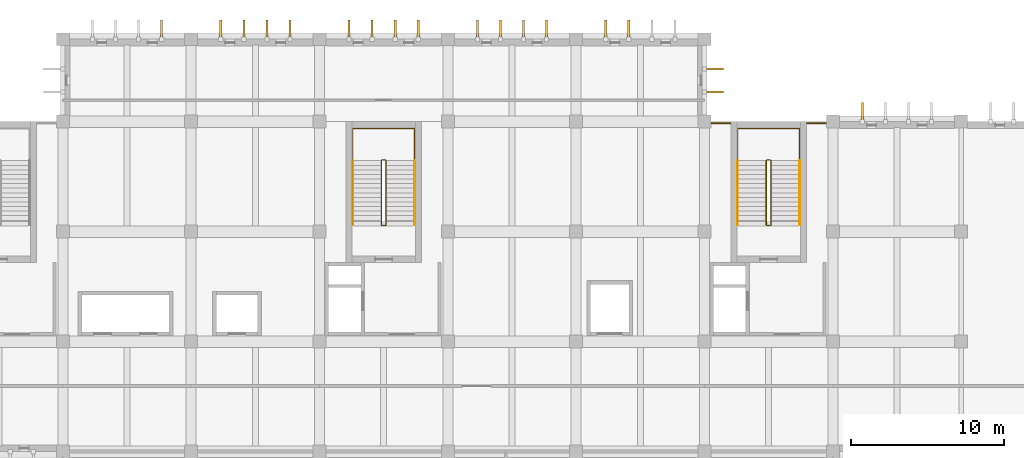
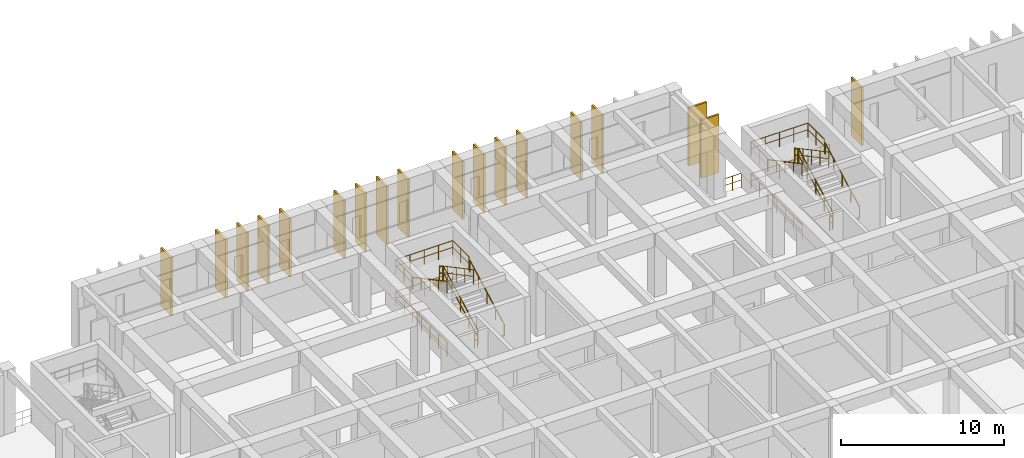
# One storey, part 50 of 51: 18 railings, 18 shading devices.
"""IFC4 building model written with IfcOpenShell, lengths in metres."""

from ifc_helpers import new_model, si_unit, direction, frame, origin, origin_2d, place, context, subcontext, project, spatial, rectangle, circle, extrude, material, type_object, element, save


model = new_model("IFC4")

# Units and contexts
model_context = context("Model", 3, precision=1e-05, world=origin(), true_north=direction((0.0, 1.0)))
body_context = subcontext(model_context, "Body", "Model", "MODEL_VIEW")
ifc_project = project(units=[si_unit("LENGTHUNIT", "METRE"), si_unit("AREAUNIT", "SQUARE_METRE"), si_unit("VOLUMEUNIT", "CUBIC_METRE"), si_unit("PLANEANGLEUNIT", "RADIAN"), si_unit("MASSUNIT", "GRAM", prefix="KILO")], contexts=[model_context])

# Site, building, storey
site_placement = place(None, origin())
site = spatial("IfcSite", under=ifc_project, at=site_placement, CompositionType="ELEMENT")
building_placement = place(site_placement, origin())
building = spatial("IfcBuilding", under=site, at=building_placement, Name="Kenerak Square Central Library", CompositionType="ELEMENT")
storey_placement = place(building_placement, frame((0.0, 0.0, 9.60009765625)))
storey = spatial("IfcBuildingStorey", under=building, at=storey_placement, Name="L02", CompositionType="ELEMENT", Elevation=9.60009765625)

# Shading devices
ifc_material_1 = material(Name="White precast concrete C40/50", Category="concrete")
shading_device_type = type_object("IfcShadingDeviceType", Name="Precast Vertical Solar Fin SF-1280 C40/50", PredefinedType="USERDEFINED", material=ifc_material_1)
for number, where, z_axis, x_axis, name in (
    (1, (73.264892578125, 116.419921875, 0.099853515625), (0.0, 0.0, 1.0), (1.0, 0.0, 0.0), "Precast Solar Fin FIN-01 L02 0115"),
    (2, (77.135009765625, 116.419921875, 0.099853515625), (0.0, 0.0, 1.0), (1.0, 0.0, 0.0), "Precast Solar Fin FIN-01 L02 0116"),
    (3, (78.64501953125, 116.419921875, 0.099853515625), (0.0, 0.0, 1.0), (1.0, 0.0, 0.0), "Precast Solar Fin FIN-01 L02 0117"),
    (4, (80.155029296875, 116.419921875, 0.099853515625), (0.0, 0.0, 1.0), (1.0, 0.0, 0.0), "Precast Solar Fin FIN-01 L02 0118"),
    (5, (81.6650390625, 116.419921875, 0.099853515625), (0.0, 0.0, 1.0), (1.0, 0.0, 0.0), "Precast Solar Fin FIN-01 L02 0119"),
    (6, (85.534912109375, 116.419921875, 0.099853515625), (0.0, 0.0, 1.0), (1.0, 0.0, 0.0), "Precast Solar Fin FIN-01 L02 0120"),
    (7, (87.044921875, 116.419921875, 0.099853515625), (0.0, 0.0, 1.0), (1.0, 0.0, 0.0), "Precast Solar Fin FIN-01 L02 0121"),
    (8, (88.554931640625, 116.419921875, 0.099853515625), (0.0, 0.0, 1.0), (1.0, 0.0, 0.0), "Precast Solar Fin FIN-01 L02 0122"),
    (9, (90.06494140625, 116.419921875, 0.099853515625), (0.0, 0.0, 1.0), (1.0, 0.0, 0.0), "Precast Solar Fin FIN-01 L02 0123"),
    (10, (93.93505859375, 116.419921875, 0.099853515625), (0.0, 0.0, 1.0), (1.0, 0.0, 0.0), "Precast Solar Fin FIN-01 L02 0124"),
    (11, (95.445068359375, 116.419921875, 0.099853515625), (0.0, 0.0, 1.0), (1.0, 0.0, 0.0), "Precast Solar Fin FIN-01 L02 0125"),
    (12, (96.955078125, 116.419921875, 0.099853515625), (0.0, 0.0, 1.0), (1.0, 0.0, 0.0), "Precast Solar Fin FIN-01 L02 0126"),
    (13, (98.465087890625, 116.419921875, 0.099853515625), (0.0, 0.0, 1.0), (1.0, 0.0, 0.0), "Precast Solar Fin FIN-01 L02 0127"),
    (14, (102.3349609375, 116.419921875, 0.099853515625), (0.0, 0.0, 1.0), (1.0, 0.0, 0.0), "Precast Solar Fin FIN-01 L02 0128"),
    (15, (103.844970703125, 116.419921875, 0.099853515625), (0.0, 0.0, 1.0), (1.0, 0.0, 0.0), "Precast Solar Fin FIN-01 L02 0129"),
    (16, (109.419921875, 113.8583984375, 0.099853515625), (0.0, 0.0, 1.0), (0.0, -1.0, 0.0), "Precast Solar Fin FIN-01 L02 0132"),
    (17, (109.419921875, 112.341796875, 0.099853515625), (0.0, 0.0, 1.0), (0.0, -1.0, 0.0), "Precast Solar Fin FIN-01 L02 0133"),
    (18, (119.135009765625, 111.02001953125, 0.099853515625), (0.0, 0.0, 1.0), (1.0, 0.0, 0.0), "Precast Solar Fin FIN-01 L02 0134"),
):
    element("IfcShadingDevice", number, at=place(storey_placement, frame(where, z_axis=z_axis, x_axis=x_axis)), inside=storey, type_object=shading_device_type, Name=name, ObjectType="FIN", PredefinedType="USERDEFINED", context=body_context, shape_type="SweptSolid", body=[
        extrude(rectangle(XDim=0.139892578125, YDim=1.280029296875, at=origin_2d()), origin(), (0.0, 0.0, 1.0), 4.35009765625),
    ])

# Railings
ifc_material_2 = material(Name="Steel S355", Category="steel")
railing_type_1 = type_object("IfcRailingType", Name="Safety Guardrail GR-1100 S355", PredefinedType="GUARDRAIL", material=ifc_material_2)
railing_1_placement = place(storey_placement, frame((87.949951171875, 103.64990234375, 0.159912109375)))
element("IfcRailing", 19, at=railing_1_placement, inside=storey, type_object=railing_type_1, Name="L02 ST-02 stair guard 1", PredefinedType="GUARDRAIL", context=body_context, shape_type="SweptSolid", body=[
    extrude(circle(Radius=0.02392578125, at=origin_2d()), frame((0.0, 0.0, 1.076171875), z_axis=(0.0, 0.882362879185, 0.470569601054), x_axis=(-1.0, 0.0, 0.0)), (0.0, 0.0, 1.0), 4.76025390625),
    extrude(circle(Radius=0.01806640625, at=origin_2d()), frame((0.0, 0.0, 0.572021484375), z_axis=(0.0, 0.882362879185, 0.470569601054), x_axis=(-1.0, 0.0, 0.0)), (0.0, 0.0, 1.0), 4.76025390625),
    extrude(circle(Radius=0.02099609375, at=origin_2d()), origin(), (0.0, 0.0, 1.0), 1.052001953125),
    extrude(circle(Radius=0.02099609375, at=origin_2d()), frame((0.0, 1.050048828125, 0.56005859375)), (0.0, 0.0, 1.0), 1.052001953125),
    extrude(circle(Radius=0.02099609375, at=origin_2d()), frame((0.0, 2.10009765625, 1.1201171875)), (0.0, 0.0, 1.0), 1.052001953125),
    extrude(circle(Radius=0.02099609375, at=origin_2d()), frame((0.0, 3.150146484375, 1.679931640625)), (0.0, 0.0, 1.0), 1.052001953125),
    extrude(circle(Radius=0.02099609375, at=origin_2d()), frame((0.0, 4.2001953125, 2.239990234375)), (0.0, 0.0, 1.0), 1.052001953125),
])
railing_2_placement = place(storey_placement, frame((87.89990234375, 107.89990234375, 2.39990234375)))
element("IfcRailing", 20, at=railing_2_placement, inside=storey, type_object=railing_type_1, Name="L02 ST-02 stair guard 2", PredefinedType="GUARDRAIL", context=body_context, shape_type="SweptSolid", body=[
    extrude(circle(Radius=0.02392578125, at=origin_2d()), frame((0.0, 0.0, 1.076171875), z_axis=(-1.0, 0.0, 0.0), x_axis=(0.0, -1.0, 0.0)), (0.0, 0.0, 1.0), 0.199951171875),
    extrude(circle(Radius=0.01806640625, at=origin_2d()), frame((0.0, 0.0, 0.572021484375), z_axis=(-1.0, 0.0, 0.0), x_axis=(0.0, -1.0, 0.0)), (0.0, 0.0, 1.0), 0.199951171875),
    extrude(circle(Radius=0.02099609375, at=origin_2d()), origin(), (0.0, 0.0, 1.0), 1.052001953125),
    extrude(circle(Radius=0.02099609375, at=origin_2d()), frame((-0.199951171875, 0.0, 0.0)), (0.0, 0.0, 1.0), 1.052001953125),
])
railing_3_placement = place(storey_placement, frame((87.64990234375, 107.85009765625, 2.559814453125)))
element("IfcRailing", 21, at=railing_3_placement, inside=storey, type_object=railing_type_1, Name="L02 ST-02 stair guard 3", PredefinedType="GUARDRAIL", context=body_context, shape_type="SweptSolid", body=[
    extrude(circle(Radius=0.02392578125, at=origin_2d()), frame((0.0, 0.0, 1.076171875), z_axis=(0.0, -0.882362879185, 0.470569601054), x_axis=(1.0, 0.0, 0.0)), (0.0, 0.0, 1.0), 4.76025390625),
    extrude(circle(Radius=0.01806640625, at=origin_2d()), frame((0.0, 0.0, 0.572021484375), z_axis=(0.0, -0.882362879185, 0.470569601054), x_axis=(1.0, 0.0, 0.0)), (0.0, 0.0, 1.0), 4.76025390625),
    extrude(circle(Radius=0.02099609375, at=origin_2d()), origin(), (0.0, 0.0, 1.0), 1.052001953125),
    extrude(circle(Radius=0.02099609375, at=origin_2d()), frame((0.0, -1.050048828125, 0.56005859375)), (0.0, 0.0, 1.0), 1.052001953125),
    extrude(circle(Radius=0.02099609375, at=origin_2d()), frame((0.0, -2.10009765625, 1.1201171875)), (0.0, 0.0, 1.0), 1.052001953125),
    extrude(circle(Radius=0.02099609375, at=origin_2d()), frame((0.0, -3.150146484375, 1.679931640625)), (0.0, 0.0, 1.0), 1.052001953125),
    extrude(circle(Radius=0.02099609375, at=origin_2d()), frame((0.0, -4.2001953125, 2.239990234375)), (0.0, 0.0, 1.0), 1.052001953125),
])
railing_4_placement = place(storey_placement, frame((87.89990234375, 103.60009765625, 0.0)))
element("IfcRailing", 22, at=railing_4_placement, inside=storey, type_object=railing_type_1, Name="L02 ST-02 stair guard 4", PredefinedType="GUARDRAIL", context=body_context, shape_type="SweptSolid", body=[
    extrude(circle(Radius=0.02392578125, at=origin_2d()), frame((0.0, 0.0, 1.076171875), z_axis=(-1.0, 0.0, 0.0), x_axis=(0.0, -1.0, 0.0)), (0.0, 0.0, 1.0), 0.199951171875),
    extrude(circle(Radius=0.01806640625, at=origin_2d()), frame((0.0, 0.0, 0.572021484375), z_axis=(-1.0, 0.0, 0.0), x_axis=(0.0, -1.0, 0.0)), (0.0, 0.0, 1.0), 0.199951171875),
    extrude(circle(Radius=0.02099609375, at=origin_2d()), origin(), (0.0, 0.0, 1.0), 1.052001953125),
    extrude(circle(Radius=0.02099609375, at=origin_2d()), frame((-0.199951171875, 0.0, 0.0)), (0.0, 0.0, 1.0), 1.052001953125),
])
railing_5_placement = place(storey_placement, frame((85.780029296875, 107.949951171875, 2.39990234375)))
element("IfcRailing", 23, at=railing_5_placement, inside=storey, type_object=railing_type_1, Name="Stair Half-Landing Guard ST-02 L02", PredefinedType="GUARDRAIL", context=body_context, shape_type="SweptSolid", body=[
    extrude(circle(Radius=0.02392578125, at=origin_2d()), frame((0.0, 0.0, 1.076171875), z_axis=(0.0, 1.0, 0.0), x_axis=(-1.0, 0.0, 0.0)), (0.0, 0.0, 1.0), 2.0),
    extrude(circle(Radius=0.01806640625, at=origin_2d()), frame((0.0, 0.0, 0.572021484375), z_axis=(0.0, 1.0, 0.0), x_axis=(-1.0, 0.0, 0.0)), (0.0, 0.0, 1.0), 2.0),
    extrude(circle(Radius=0.02392578125, at=origin_2d()), frame((0.0, 2.0, 1.076171875), z_axis=(1.0, 0.0, 0.0), x_axis=(0.0, 1.0, 0.0)), (0.0, 0.0, 1.0), 4.0400390625),
    extrude(circle(Radius=0.01806640625, at=origin_2d()), frame((0.0, 2.0, 0.572021484375), z_axis=(1.0, 0.0, 0.0), x_axis=(0.0, 1.0, 0.0)), (0.0, 0.0, 1.0), 4.0400390625),
    extrude(circle(Radius=0.02392578125, at=origin_2d()), frame((4.0400390625, 2.0, 1.076171875), z_axis=(0.0, -1.0, 0.0), x_axis=(1.0, 0.0, 0.0)), (0.0, 0.0, 1.0), 2.0),
    extrude(circle(Radius=0.01806640625, at=origin_2d()), frame((4.0400390625, 2.0, 0.572021484375), z_axis=(0.0, -1.0, 0.0), x_axis=(1.0, 0.0, 0.0)), (0.0, 0.0, 1.0), 2.0),
    extrude(circle(Radius=0.02099609375, at=origin_2d()), origin(), (0.0, 0.0, 1.0), 1.052001953125),
    extrude(circle(Radius=0.02099609375, at=origin_2d()), frame((0.0, 1.0, 0.0)), (0.0, 0.0, 1.0), 1.052001953125),
    extrude(circle(Radius=0.02099609375, at=origin_2d()), frame((0.0, 2.0, 0.0)), (0.0, 0.0, 1.0), 1.052001953125),
    extrude(circle(Radius=0.02099609375, at=origin_2d()), frame((1.010009765625, 2.0, 0.0)), (0.0, 0.0, 1.0), 1.052001953125),
    extrude(circle(Radius=0.02099609375, at=origin_2d()), frame((2.02001953125, 2.0, 0.0)), (0.0, 0.0, 1.0), 1.052001953125),
    extrude(circle(Radius=0.02099609375, at=origin_2d()), frame((3.030029296875, 2.0, 0.0)), (0.0, 0.0, 1.0), 1.052001953125),
    extrude(circle(Radius=0.02099609375, at=origin_2d()), frame((4.0400390625, 2.0, 0.0)), (0.0, 0.0, 1.0), 1.052001953125),
    extrude(circle(Radius=0.02099609375, at=origin_2d()), frame((4.0400390625, 1.0, 0.0)), (0.0, 0.0, 1.0), 1.052001953125),
    extrude(circle(Radius=0.02099609375, at=origin_2d()), frame((4.0400390625, 0.0, 0.0)), (0.0, 0.0, 1.0), 1.052001953125),
])
railing_6_placement = place(storey_placement, frame((85.780029296875, 103.64990234375, 0.0)))
element("IfcRailing", 24, at=railing_6_placement, inside=storey, type_object=railing_type_1, Name="Stair Well Floor Guard ST-02 L02", PredefinedType="GUARDRAIL", context=body_context, shape_type="SweptSolid", body=[
    extrude(circle(Radius=0.02392578125, at=origin_2d()), frame((0.0, 0.0, 1.076171875), z_axis=(0.0, 1.0, 0.0), x_axis=(-1.0, 0.0, 0.0)), (0.0, 0.0, 1.0), 6.300048828125),
    extrude(circle(Radius=0.01806640625, at=origin_2d()), frame((0.0, 0.0, 0.572021484375), z_axis=(0.0, 1.0, 0.0), x_axis=(-1.0, 0.0, 0.0)), (0.0, 0.0, 1.0), 6.300048828125),
    extrude(circle(Radius=0.02392578125, at=origin_2d()), frame((0.0, 6.300048828125, 1.076171875), z_axis=(1.0, 0.0, 0.0), x_axis=(0.0, 1.0, 0.0)), (0.0, 0.0, 1.0), 4.0400390625),
    extrude(circle(Radius=0.01806640625, at=origin_2d()), frame((0.0, 6.300048828125, 0.572021484375), z_axis=(1.0, 0.0, 0.0), x_axis=(0.0, 1.0, 0.0)), (0.0, 0.0, 1.0), 4.0400390625),
    extrude(circle(Radius=0.02099609375, at=origin_2d()), origin(), (0.0, 0.0, 1.0), 1.052001953125),
    extrude(circle(Radius=0.02099609375, at=origin_2d()), frame((0.0, 1.050048828125, 0.0)), (0.0, 0.0, 1.0), 1.052001953125),
    extrude(circle(Radius=0.02099609375, at=origin_2d()), frame((0.0, 2.10009765625, 0.0)), (0.0, 0.0, 1.0), 1.052001953125),
    extrude(circle(Radius=0.02099609375, at=origin_2d()), frame((0.0, 3.14990234375, 0.0)), (0.0, 0.0, 1.0), 1.052001953125),
    extrude(circle(Radius=0.02099609375, at=origin_2d()), frame((0.0, 4.199951171875, 0.0)), (0.0, 0.0, 1.0), 1.052001953125),
    extrude(circle(Radius=0.02099609375, at=origin_2d()), frame((0.0, 5.25, 0.0)), (0.0, 0.0, 1.0), 1.052001953125),
    extrude(circle(Radius=0.02099609375, at=origin_2d()), frame((0.0, 6.300048828125, 0.0)), (0.0, 0.0, 1.0), 1.052001953125),
    extrude(circle(Radius=0.02099609375, at=origin_2d()), frame((1.010009765625, 6.300048828125, 0.0)), (0.0, 0.0, 1.0), 1.052001953125),
    extrude(circle(Radius=0.02099609375, at=origin_2d()), frame((2.02001953125, 6.300048828125, 0.0)), (0.0, 0.0, 1.0), 1.052001953125),
    extrude(circle(Radius=0.02099609375, at=origin_2d()), frame((3.030029296875, 6.300048828125, 0.0)), (0.0, 0.0, 1.0), 1.052001953125),
    extrude(circle(Radius=0.02099609375, at=origin_2d()), frame((4.0400390625, 6.300048828125, 0.0)), (0.0, 0.0, 1.0), 1.052001953125),
])
railing_7_placement = place(storey_placement, frame((113.14990234375, 103.64990234375, 0.159912109375)))
element("IfcRailing", 25, at=railing_7_placement, inside=storey, type_object=railing_type_1, Name="L02 ST-03 stair guard 1", PredefinedType="GUARDRAIL", context=body_context, shape_type="SweptSolid", body=[
    extrude(circle(Radius=0.02392578125, at=origin_2d()), frame((0.0, 0.0, 1.076171875), z_axis=(0.0, 0.882362879185, 0.470569601054), x_axis=(-1.0, 0.0, 0.0)), (0.0, 0.0, 1.0), 4.76025390625),
    extrude(circle(Radius=0.01806640625, at=origin_2d()), frame((0.0, 0.0, 0.572021484375), z_axis=(0.0, 0.882362879185, 0.470569601054), x_axis=(-1.0, 0.0, 0.0)), (0.0, 0.0, 1.0), 4.76025390625),
    extrude(circle(Radius=0.02099609375, at=origin_2d()), origin(), (0.0, 0.0, 1.0), 1.052001953125),
    extrude(circle(Radius=0.02099609375, at=origin_2d()), frame((0.0, 1.050048828125, 0.56005859375)), (0.0, 0.0, 1.0), 1.052001953125),
    extrude(circle(Radius=0.02099609375, at=origin_2d()), frame((0.0, 2.10009765625, 1.1201171875)), (0.0, 0.0, 1.0), 1.052001953125),
    extrude(circle(Radius=0.02099609375, at=origin_2d()), frame((0.0, 3.150146484375, 1.679931640625)), (0.0, 0.0, 1.0), 1.052001953125),
    extrude(circle(Radius=0.02099609375, at=origin_2d()), frame((0.0, 4.2001953125, 2.239990234375)), (0.0, 0.0, 1.0), 1.052001953125),
])
railing_8_placement = place(storey_placement, frame((113.10009765625, 107.89990234375, 2.39990234375)))
element("IfcRailing", 26, at=railing_8_placement, inside=storey, type_object=railing_type_1, Name="L02 ST-03 stair guard 2", PredefinedType="GUARDRAIL", context=body_context, shape_type="SweptSolid", body=[
    extrude(circle(Radius=0.02392578125, at=origin_2d()), frame((0.0, 0.0, 1.076171875), z_axis=(-1.0, 0.0, 0.0), x_axis=(0.0, -1.0, 0.0)), (0.0, 0.0, 1.0), 0.2001953125),
    extrude(circle(Radius=0.01806640625, at=origin_2d()), frame((0.0, 0.0, 0.572021484375), z_axis=(-1.0, 0.0, 0.0), x_axis=(0.0, -1.0, 0.0)), (0.0, 0.0, 1.0), 0.2001953125),
    extrude(circle(Radius=0.02099609375, at=origin_2d()), origin(), (0.0, 0.0, 1.0), 1.052001953125),
    extrude(circle(Radius=0.02099609375, at=origin_2d()), frame((-0.2001953125, 0.0, 0.0)), (0.0, 0.0, 1.0), 1.052001953125),
])
railing_9_placement = place(storey_placement, frame((112.85009765625, 107.85009765625, 2.559814453125)))
element("IfcRailing", 27, at=railing_9_placement, inside=storey, type_object=railing_type_1, Name="L02 ST-03 stair guard 3", PredefinedType="GUARDRAIL", context=body_context, shape_type="SweptSolid", body=[
    extrude(circle(Radius=0.02392578125, at=origin_2d()), frame((0.0, 0.0, 1.076171875), z_axis=(0.0, -0.882362879185, 0.470569601054), x_axis=(1.0, 0.0, 0.0)), (0.0, 0.0, 1.0), 4.76025390625),
    extrude(circle(Radius=0.01806640625, at=origin_2d()), frame((0.0, 0.0, 0.572021484375), z_axis=(0.0, -0.882362879185, 0.470569601054), x_axis=(1.0, 0.0, 0.0)), (0.0, 0.0, 1.0), 4.76025390625),
    extrude(circle(Radius=0.02099609375, at=origin_2d()), origin(), (0.0, 0.0, 1.0), 1.052001953125),
    extrude(circle(Radius=0.02099609375, at=origin_2d()), frame((0.0, -1.050048828125, 0.56005859375)), (0.0, 0.0, 1.0), 1.052001953125),
    extrude(circle(Radius=0.02099609375, at=origin_2d()), frame((0.0, -2.10009765625, 1.1201171875)), (0.0, 0.0, 1.0), 1.052001953125),
    extrude(circle(Radius=0.02099609375, at=origin_2d()), frame((0.0, -3.150146484375, 1.679931640625)), (0.0, 0.0, 1.0), 1.052001953125),
    extrude(circle(Radius=0.02099609375, at=origin_2d()), frame((0.0, -4.2001953125, 2.239990234375)), (0.0, 0.0, 1.0), 1.052001953125),
])
railing_10_placement = place(storey_placement, frame((113.10009765625, 103.60009765625, 0.0)))
element("IfcRailing", 28, at=railing_10_placement, inside=storey, type_object=railing_type_1, Name="L02 ST-03 stair guard 4", PredefinedType="GUARDRAIL", context=body_context, shape_type="SweptSolid", body=[
    extrude(circle(Radius=0.02392578125, at=origin_2d()), frame((0.0, 0.0, 1.076171875), z_axis=(-1.0, 0.0, 0.0), x_axis=(0.0, -1.0, 0.0)), (0.0, 0.0, 1.0), 0.2001953125),
    extrude(circle(Radius=0.01806640625, at=origin_2d()), frame((0.0, 0.0, 0.572021484375), z_axis=(-1.0, 0.0, 0.0), x_axis=(0.0, -1.0, 0.0)), (0.0, 0.0, 1.0), 0.2001953125),
    extrude(circle(Radius=0.02099609375, at=origin_2d()), origin(), (0.0, 0.0, 1.0), 1.052001953125),
    extrude(circle(Radius=0.02099609375, at=origin_2d()), frame((-0.2001953125, 0.0, 0.0)), (0.0, 0.0, 1.0), 1.052001953125),
])
railing_11_placement = place(storey_placement, frame((110.97998046875, 107.949951171875, 2.39990234375)))
element("IfcRailing", 29, at=railing_11_placement, inside=storey, type_object=railing_type_1, Name="Stair Half-Landing Guard ST-03 L02", PredefinedType="GUARDRAIL", context=body_context, shape_type="SweptSolid", body=[
    extrude(circle(Radius=0.02392578125, at=origin_2d()), frame((0.0, 0.0, 1.076171875), z_axis=(0.0, 1.0, 0.0), x_axis=(-1.0, 0.0, 0.0)), (0.0, 0.0, 1.0), 2.0),
    extrude(circle(Radius=0.01806640625, at=origin_2d()), frame((0.0, 0.0, 0.572021484375), z_axis=(0.0, 1.0, 0.0), x_axis=(-1.0, 0.0, 0.0)), (0.0, 0.0, 1.0), 2.0),
    extrude(circle(Radius=0.02392578125, at=origin_2d()), frame((0.0, 2.0, 1.076171875), z_axis=(1.0, 0.0, 0.0), x_axis=(0.0, 1.0, 0.0)), (0.0, 0.0, 1.0), 4.0400390625),
    extrude(circle(Radius=0.01806640625, at=origin_2d()), frame((0.0, 2.0, 0.572021484375), z_axis=(1.0, 0.0, 0.0), x_axis=(0.0, 1.0, 0.0)), (0.0, 0.0, 1.0), 4.0400390625),
    extrude(circle(Radius=0.02392578125, at=origin_2d()), frame((4.0400390625, 2.0, 1.076171875), z_axis=(0.0, -1.0, 0.0), x_axis=(1.0, 0.0, 0.0)), (0.0, 0.0, 1.0), 2.0),
    extrude(circle(Radius=0.01806640625, at=origin_2d()), frame((4.0400390625, 2.0, 0.572021484375), z_axis=(0.0, -1.0, 0.0), x_axis=(1.0, 0.0, 0.0)), (0.0, 0.0, 1.0), 2.0),
    extrude(circle(Radius=0.02099609375, at=origin_2d()), origin(), (0.0, 0.0, 1.0), 1.052001953125),
    extrude(circle(Radius=0.02099609375, at=origin_2d()), frame((0.0, 1.0, 0.0)), (0.0, 0.0, 1.0), 1.052001953125),
    extrude(circle(Radius=0.02099609375, at=origin_2d()), frame((0.0, 2.0, 0.0)), (0.0, 0.0, 1.0), 1.052001953125),
    extrude(circle(Radius=0.02099609375, at=origin_2d()), frame((1.010009765625, 2.0, 0.0)), (0.0, 0.0, 1.0), 1.052001953125),
    extrude(circle(Radius=0.02099609375, at=origin_2d()), frame((2.02001953125, 2.0, 0.0)), (0.0, 0.0, 1.0), 1.052001953125),
    extrude(circle(Radius=0.02099609375, at=origin_2d()), frame((3.030029296875, 2.0, 0.0)), (0.0, 0.0, 1.0), 1.052001953125),
    extrude(circle(Radius=0.02099609375, at=origin_2d()), frame((4.0400390625, 2.0, 0.0)), (0.0, 0.0, 1.0), 1.052001953125),
    extrude(circle(Radius=0.02099609375, at=origin_2d()), frame((4.0400390625, 1.0, 0.0)), (0.0, 0.0, 1.0), 1.052001953125),
    extrude(circle(Radius=0.02099609375, at=origin_2d()), frame((4.0400390625, 0.0, 0.0)), (0.0, 0.0, 1.0), 1.052001953125),
])
railing_12_placement = place(storey_placement, frame((110.97998046875, 103.64990234375, 0.0)))
element("IfcRailing", 30, at=railing_12_placement, inside=storey, type_object=railing_type_1, Name="Stair Well Floor Guard ST-03 L02", PredefinedType="GUARDRAIL", context=body_context, shape_type="SweptSolid", body=[
    extrude(circle(Radius=0.02392578125, at=origin_2d()), frame((0.0, 0.0, 1.076171875), z_axis=(0.0, 1.0, 0.0), x_axis=(-1.0, 0.0, 0.0)), (0.0, 0.0, 1.0), 6.300048828125),
    extrude(circle(Radius=0.01806640625, at=origin_2d()), frame((0.0, 0.0, 0.572021484375), z_axis=(0.0, 1.0, 0.0), x_axis=(-1.0, 0.0, 0.0)), (0.0, 0.0, 1.0), 6.300048828125),
    extrude(circle(Radius=0.02392578125, at=origin_2d()), frame((0.0, 6.300048828125, 1.076171875), z_axis=(1.0, 0.0, 0.0), x_axis=(0.0, 1.0, 0.0)), (0.0, 0.0, 1.0), 4.0400390625),
    extrude(circle(Radius=0.01806640625, at=origin_2d()), frame((0.0, 6.300048828125, 0.572021484375), z_axis=(1.0, 0.0, 0.0), x_axis=(0.0, 1.0, 0.0)), (0.0, 0.0, 1.0), 4.0400390625),
    extrude(circle(Radius=0.02099609375, at=origin_2d()), origin(), (0.0, 0.0, 1.0), 1.052001953125),
    extrude(circle(Radius=0.02099609375, at=origin_2d()), frame((0.0, 1.050048828125, 0.0)), (0.0, 0.0, 1.0), 1.052001953125),
    extrude(circle(Radius=0.02099609375, at=origin_2d()), frame((0.0, 2.10009765625, 0.0)), (0.0, 0.0, 1.0), 1.052001953125),
    extrude(circle(Radius=0.02099609375, at=origin_2d()), frame((0.0, 3.14990234375, 0.0)), (0.0, 0.0, 1.0), 1.052001953125),
    extrude(circle(Radius=0.02099609375, at=origin_2d()), frame((0.0, 4.199951171875, 0.0)), (0.0, 0.0, 1.0), 1.052001953125),
    extrude(circle(Radius=0.02099609375, at=origin_2d()), frame((0.0, 5.25, 0.0)), (0.0, 0.0, 1.0), 1.052001953125),
    extrude(circle(Radius=0.02099609375, at=origin_2d()), frame((0.0, 6.300048828125, 0.0)), (0.0, 0.0, 1.0), 1.052001953125),
    extrude(circle(Radius=0.02099609375, at=origin_2d()), frame((1.010009765625, 6.300048828125, 0.0)), (0.0, 0.0, 1.0), 1.052001953125),
    extrude(circle(Radius=0.02099609375, at=origin_2d()), frame((2.02001953125, 6.300048828125, 0.0)), (0.0, 0.0, 1.0), 1.052001953125),
    extrude(circle(Radius=0.02099609375, at=origin_2d()), frame((3.030029296875, 6.300048828125, 0.0)), (0.0, 0.0, 1.0), 1.052001953125),
    extrude(circle(Radius=0.02099609375, at=origin_2d()), frame((4.0400390625, 6.300048828125, 0.0)), (0.0, 0.0, 1.0), 1.052001953125),
])
for number, where, name in (
    (31, (109.2470703125, 110.300048828125, 0.0), "Perimeter Edge Guardrail L02 109-1"),
    (32, (115.501953125, 110.300048828125, 0.0), "Perimeter Edge Guardrail L02 115-2"),
):
    element("IfcRailing", number, at=place(storey_placement, frame(where)), inside=storey, type_object=railing_type_1, Name=name, PredefinedType="GUARDRAIL", context=body_context, shape_type="SweptSolid", body=[
        extrude(circle(Radius=0.02392578125, at=origin_2d()), frame((0.0, 0.0, 1.076171875), z_axis=(1.0, 0.0, 0.0), x_axis=(0.0, 1.0, 0.0)), (0.0, 0.0, 1.0), 1.2509765625),
        extrude(circle(Radius=0.01806640625, at=origin_2d()), frame((0.0, 0.0, 0.572021484375), z_axis=(1.0, 0.0, 0.0), x_axis=(0.0, 1.0, 0.0)), (0.0, 0.0, 1.0), 1.2509765625),
        extrude(circle(Radius=0.02099609375, at=origin_2d()), origin(), (0.0, 0.0, 1.0), 1.052001953125),
        extrude(circle(Radius=0.02099609375, at=origin_2d()), frame((0.62548828125, 0.0, 0.0)), (0.0, 0.0, 1.0), 1.052001953125),
        extrude(circle(Radius=0.02099609375, at=origin_2d()), frame((1.2509765625, 0.0, 0.0)), (0.0, 0.0, 1.0), 1.052001953125),
    ])
railing_type_2 = type_object("IfcRailingType", Name="Stair Handrail HR-880 S355", PredefinedType="HANDRAIL", material=ifc_material_2)
railing_13_placement = place(storey_placement, frame((89.830078125, 103.64990234375, 0.159912109375)))
element("IfcRailing", 33, at=railing_13_placement, inside=storey, type_object=railing_type_2, Name="L02 ST-02 stair handrail 1", PredefinedType="HANDRAIL", context=body_context, shape_type="SweptSolid", body=[
    extrude(circle(Radius=0.02392578125, at=origin_2d()), frame((0.0, 0.0, 0.85595703125), z_axis=(0.0, 0.882362879185, 0.470569601054), x_axis=(-1.0, 0.0, 0.0)), (0.0, 0.0, 1.0), 4.76025390625),
    extrude(circle(Radius=0.02099609375, at=origin_2d()), origin(), (0.0, 0.0, 1.0), 0.831787109375),
    extrude(circle(Radius=0.02099609375, at=origin_2d()), frame((0.0, 1.050048828125, 0.56005859375)), (0.0, 0.0, 1.0), 0.831787109375),
    extrude(circle(Radius=0.02099609375, at=origin_2d()), frame((0.0, 2.10009765625, 1.1201171875)), (0.0, 0.0, 1.0), 0.831787109375),
    extrude(circle(Radius=0.02099609375, at=origin_2d()), frame((0.0, 3.150146484375, 1.679931640625)), (0.0, 0.0, 1.0), 0.831787109375),
    extrude(circle(Radius=0.02099609375, at=origin_2d()), frame((0.0, 4.2001953125, 2.239990234375)), (0.0, 0.0, 1.0), 0.831787109375),
])
railing_14_placement = place(storey_placement, frame((85.77001953125, 107.85009765625, 2.559814453125)))
element("IfcRailing", 34, at=railing_14_placement, inside=storey, type_object=railing_type_2, Name="L02 ST-02 stair handrail 2", PredefinedType="HANDRAIL", context=body_context, shape_type="SweptSolid", body=[
    extrude(circle(Radius=0.02392578125, at=origin_2d()), frame((0.0, 0.0, 0.85595703125), z_axis=(0.0, -0.882362879185, 0.470569601054), x_axis=(1.0, 0.0, 0.0)), (0.0, 0.0, 1.0), 4.76025390625),
    extrude(circle(Radius=0.02099609375, at=origin_2d()), origin(), (0.0, 0.0, 1.0), 0.831787109375),
    extrude(circle(Radius=0.02099609375, at=origin_2d()), frame((0.0, -1.050048828125, 0.56005859375)), (0.0, 0.0, 1.0), 0.831787109375),
    extrude(circle(Radius=0.02099609375, at=origin_2d()), frame((0.0, -2.10009765625, 1.1201171875)), (0.0, 0.0, 1.0), 0.831787109375),
    extrude(circle(Radius=0.02099609375, at=origin_2d()), frame((0.0, -3.150146484375, 1.679931640625)), (0.0, 0.0, 1.0), 0.831787109375),
    extrude(circle(Radius=0.02099609375, at=origin_2d()), frame((0.0, -4.2001953125, 2.239990234375)), (0.0, 0.0, 1.0), 0.831787109375),
])
railing_15_placement = place(storey_placement, frame((115.030029296875, 103.64990234375, 0.159912109375)))
element("IfcRailing", 35, at=railing_15_placement, inside=storey, type_object=railing_type_2, Name="L02 ST-03 stair handrail 1", PredefinedType="HANDRAIL", context=body_context, shape_type="SweptSolid", body=[
    extrude(circle(Radius=0.02392578125, at=origin_2d()), frame((0.0, 0.0, 0.85595703125), z_axis=(0.0, 0.882362879185, 0.470569601054), x_axis=(-1.0, 0.0, 0.0)), (0.0, 0.0, 1.0), 4.76025390625),
    extrude(circle(Radius=0.02099609375, at=origin_2d()), origin(), (0.0, 0.0, 1.0), 0.831787109375),
    extrude(circle(Radius=0.02099609375, at=origin_2d()), frame((0.0, 1.050048828125, 0.56005859375)), (0.0, 0.0, 1.0), 0.831787109375),
    extrude(circle(Radius=0.02099609375, at=origin_2d()), frame((0.0, 2.10009765625, 1.1201171875)), (0.0, 0.0, 1.0), 0.831787109375),
    extrude(circle(Radius=0.02099609375, at=origin_2d()), frame((0.0, 3.150146484375, 1.679931640625)), (0.0, 0.0, 1.0), 0.831787109375),
    extrude(circle(Radius=0.02099609375, at=origin_2d()), frame((0.0, 4.2001953125, 2.239990234375)), (0.0, 0.0, 1.0), 0.831787109375),
])
railing_16_placement = place(storey_placement, frame((110.969970703125, 107.85009765625, 2.559814453125)))
element("IfcRailing", 36, at=railing_16_placement, inside=storey, type_object=railing_type_2, Name="L02 ST-03 stair handrail 2", PredefinedType="HANDRAIL", context=body_context, shape_type="SweptSolid", body=[
    extrude(circle(Radius=0.02392578125, at=origin_2d()), frame((0.0, 0.0, 0.85595703125), z_axis=(0.0, -0.882362879185, 0.470569601054), x_axis=(1.0, 0.0, 0.0)), (0.0, 0.0, 1.0), 4.76025390625),
    extrude(circle(Radius=0.02099609375, at=origin_2d()), origin(), (0.0, 0.0, 1.0), 0.831787109375),
    extrude(circle(Radius=0.02099609375, at=origin_2d()), frame((0.0, -1.050048828125, 0.56005859375)), (0.0, 0.0, 1.0), 0.831787109375),
    extrude(circle(Radius=0.02099609375, at=origin_2d()), frame((0.0, -2.10009765625, 1.1201171875)), (0.0, 0.0, 1.0), 0.831787109375),
    extrude(circle(Radius=0.02099609375, at=origin_2d()), frame((0.0, -3.150146484375, 1.679931640625)), (0.0, 0.0, 1.0), 0.831787109375),
    extrude(circle(Radius=0.02099609375, at=origin_2d()), frame((0.0, -4.2001953125, 2.239990234375)), (0.0, 0.0, 1.0), 0.831787109375),
])

save(model, "model.ifc")
